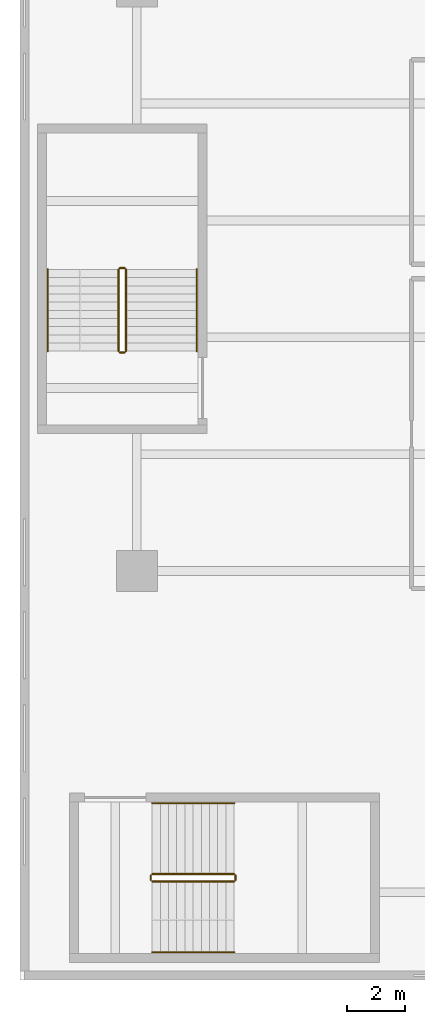
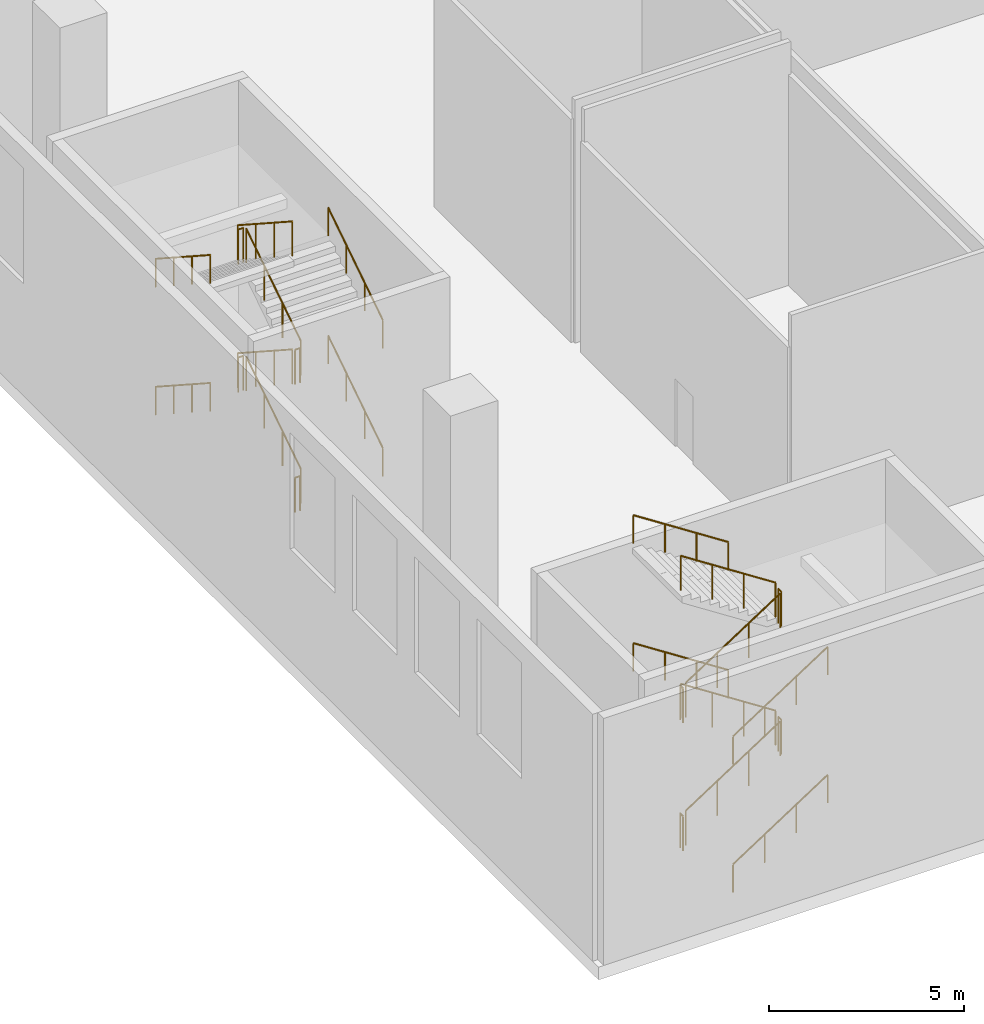
# One storey, part 19 of 27: 24 railings.
"""IFC4 building model written with IfcOpenShell, lengths in metres."""

from ifc_helpers import new_model, si_unit, direction, frame, origin, origin_2d, place, context, subcontext, project, spatial, circle, extrude, material, type_object, element, save


model = new_model("IFC4")

# Units and contexts
model_context = context("Model", 3, precision=1e-05, world=origin(), true_north=direction((0.0, 1.0)))
body_context = subcontext(model_context, "Body", "Model", "MODEL_VIEW")
ifc_project = project(units=[si_unit("LENGTHUNIT", "METRE"), si_unit("AREAUNIT", "SQUARE_METRE"), si_unit("VOLUMEUNIT", "CUBIC_METRE"), si_unit("PLANEANGLEUNIT", "RADIAN"), si_unit("MASSUNIT", "GRAM", prefix="KILO")], contexts=[model_context])

# Site, building, storey
site_placement = place(None, origin())
site = spatial("IfcSite", under=ifc_project, at=site_placement, CompositionType="ELEMENT")
building_placement = place(site_placement, origin())
building = spatial("IfcBuilding", under=site, at=building_placement, Name="Tel Ilan Convention Tower", CompositionType="ELEMENT")
storey_placement = place(building_placement, frame((0.0, 0.0, 18.0)))
storey = spatial("IfcBuildingStorey", under=building, at=storey_placement, Name="L02", CompositionType="ELEMENT", Elevation=18.0)

# Railings
ifc_material_1 = material(Name="Stainless Steel Grade 316", Category="steel")
railing_type_1 = type_object("IfcRailingType", Name="Stainless Steel Stair Guard 1100 mm", PredefinedType="GUARDRAIL", material=ifc_material_1)
railing_1_placement = place(storey_placement, frame((-45.47509765625, -78.625, 0.181884765625)))
element("IfcRailing", 1, at=railing_1_placement, inside=storey, type_object=railing_type_1, Name="L02 P1 stair guard 1", PredefinedType="GUARDRAIL", context=body_context, shape_type="SweptSolid", body=[
    extrude(circle(Radius=0.02392578125, at=origin_2d()), frame((0.0, 0.0, 1.076171875), z_axis=(0.838705829183, 0.0, 0.544584733623), x_axis=(0.0, 1.0, 0.0)), (0.0, 0.0, 1.0), 3.338623046875),
    extrude(circle(Radius=0.02099609375, at=origin_2d()), origin(), (0.0, 0.0, 1.0), 1.052001953125),
    extrude(circle(Radius=0.02099609375, at=origin_2d()), frame((0.933349609375, 0.0, 0.60595703125)), (0.0, 0.0, 1.0), 1.052001953125),
    extrude(circle(Radius=0.02099609375, at=origin_2d()), frame((1.86669921875, 0.0, 1.212158203125)), (0.0, 0.0, 1.0), 1.052001953125),
    extrude(circle(Radius=0.02099609375, at=origin_2d()), frame((2.800048828125, 0.0, 1.818115234375)), (0.0, 0.0, 1.0), 1.052001953125),
])
railing_2_placement = place(storey_placement, frame((-42.625, -78.574951171875, 2.0)))
element("IfcRailing", 2, at=railing_2_placement, inside=storey, type_object=railing_type_1, Name="L02 P1 stair guard 2", PredefinedType="GUARDRAIL", context=body_context, shape_type="SweptSolid", body=[
    extrude(circle(Radius=0.02392578125, at=origin_2d()), frame((0.0, 0.0, 1.076171875), z_axis=(0.0, 1.0, 0.0), x_axis=(-1.0, 0.0, 0.0)), (0.0, 0.0, 1.0), 0.14990234375),
    extrude(circle(Radius=0.02099609375, at=origin_2d()), origin(), (0.0, 0.0, 1.0), 1.052001953125),
    extrude(circle(Radius=0.02099609375, at=origin_2d()), frame((0.0, 0.14990234375, 0.0)), (0.0, 0.0, 1.0), 1.052001953125),
])
railing_3_placement = place(storey_placement, frame((-42.675048828125, -78.375, 2.181884765625)))
element("IfcRailing", 3, at=railing_3_placement, inside=storey, type_object=railing_type_1, Name="L02 P1 stair guard 3", PredefinedType="GUARDRAIL", context=body_context, shape_type="SweptSolid", body=[
    extrude(circle(Radius=0.02392578125, at=origin_2d()), frame((0.0, 0.0, 1.076171875), z_axis=(-0.838705829183, 0.0, 0.544584733623), x_axis=(0.0, -1.0, 0.0)), (0.0, 0.0, 1.0), 3.338623046875),
    extrude(circle(Radius=0.02099609375, at=origin_2d()), origin(), (0.0, 0.0, 1.0), 1.052001953125),
    extrude(circle(Radius=0.02099609375, at=origin_2d()), frame((-0.933349609375, 0.0, 0.60595703125)), (0.0, 0.0, 1.0), 1.052001953125),
    extrude(circle(Radius=0.02099609375, at=origin_2d()), frame((-1.86669921875, 0.0, 1.212158203125)), (0.0, 0.0, 1.0), 1.052001953125),
    extrude(circle(Radius=0.02099609375, at=origin_2d()), frame((-2.800048828125, 0.0, 1.818115234375)), (0.0, 0.0, 1.0), 1.052001953125),
])
railing_4_placement = place(storey_placement, frame((-45.52490234375, -78.574951171875, 4.0)))
element("IfcRailing", 4, at=railing_4_placement, inside=storey, type_object=railing_type_1, Name="L02 P1 stair guard 4", PredefinedType="GUARDRAIL", context=body_context, shape_type="SweptSolid", body=[
    extrude(circle(Radius=0.02392578125, at=origin_2d()), frame((0.0, 0.0, 1.076171875), z_axis=(0.0, 1.0, 0.0), x_axis=(-1.0, 0.0, 0.0)), (0.0, 0.0, 1.0), 0.14990234375),
    extrude(circle(Radius=0.02099609375, at=origin_2d()), origin(), (0.0, 0.0, 1.0), 1.052001953125),
    extrude(circle(Radius=0.02099609375, at=origin_2d()), frame((0.0, 0.14990234375, 0.0)), (0.0, 0.0, 1.0), 1.052001953125),
])
railing_5_placement = place(storey_placement, frame((-45.47509765625, -78.625, 4.181884765625)))
element("IfcRailing", 5, at=railing_5_placement, inside=storey, type_object=railing_type_1, Name="L02 P1 stair guard 5", PredefinedType="GUARDRAIL", context=body_context, shape_type="SweptSolid", body=[
    extrude(circle(Radius=0.02392578125, at=origin_2d()), frame((0.0, 0.0, 1.076171875), z_axis=(0.838705829183, 0.0, 0.544584733623), x_axis=(0.0, 1.0, 0.0)), (0.0, 0.0, 1.0), 3.338623046875),
    extrude(circle(Radius=0.02099609375, at=origin_2d()), origin(), (0.0, 0.0, 1.0), 1.052001953125),
    extrude(circle(Radius=0.02099609375, at=origin_2d()), frame((0.933349609375, 0.0, 0.60595703125)), (0.0, 0.0, 1.0), 1.052001953125),
    extrude(circle(Radius=0.02099609375, at=origin_2d()), frame((1.86669921875, 0.0, 1.212158203125)), (0.0, 0.0, 1.0), 1.052001953125),
    extrude(circle(Radius=0.02099609375, at=origin_2d()), frame((2.800048828125, 0.0, 1.818115234375)), (0.0, 0.0, 1.0), 1.052001953125),
])
railing_6_placement = place(storey_placement, frame((-42.625, -78.574951171875, 6.0)))
element("IfcRailing", 6, at=railing_6_placement, inside=storey, type_object=railing_type_1, Name="L02 P1 stair guard 6", PredefinedType="GUARDRAIL", context=body_context, shape_type="SweptSolid", body=[
    extrude(circle(Radius=0.02392578125, at=origin_2d()), frame((0.0, 0.0, 1.076171875), z_axis=(0.0, 1.0, 0.0), x_axis=(-1.0, 0.0, 0.0)), (0.0, 0.0, 1.0), 0.14990234375),
    extrude(circle(Radius=0.02099609375, at=origin_2d()), origin(), (0.0, 0.0, 1.0), 1.052001953125),
    extrude(circle(Radius=0.02099609375, at=origin_2d()), frame((0.0, 0.14990234375, 0.0)), (0.0, 0.0, 1.0), 1.052001953125),
])
railing_7_placement = place(storey_placement, frame((-42.675048828125, -78.375, 6.181884765625)))
element("IfcRailing", 7, at=railing_7_placement, inside=storey, type_object=railing_type_1, Name="L02 P1 stair guard 7", PredefinedType="GUARDRAIL", context=body_context, shape_type="SweptSolid", body=[
    extrude(circle(Radius=0.02392578125, at=origin_2d()), frame((0.0, 0.0, 1.076171875), z_axis=(-0.838705829183, 0.0, 0.544584733623), x_axis=(0.0, -1.0, 0.0)), (0.0, 0.0, 1.0), 3.338623046875),
    extrude(circle(Radius=0.02099609375, at=origin_2d()), origin(), (0.0, 0.0, 1.0), 1.052001953125),
    extrude(circle(Radius=0.02099609375, at=origin_2d()), frame((-0.933349609375, 0.0, 0.60595703125)), (0.0, 0.0, 1.0), 1.052001953125),
    extrude(circle(Radius=0.02099609375, at=origin_2d()), frame((-1.86669921875, 0.0, 1.212158203125)), (0.0, 0.0, 1.0), 1.052001953125),
    extrude(circle(Radius=0.02099609375, at=origin_2d()), frame((-2.800048828125, 0.0, 1.818115234375)), (0.0, 0.0, 1.0), 1.052001953125),
])
railing_8_placement = place(storey_placement, frame((-45.52490234375, -78.574951171875, 0.0)))
element("IfcRailing", 8, at=railing_8_placement, inside=storey, type_object=railing_type_1, Name="L02 P1 stair guard 8", PredefinedType="GUARDRAIL", context=body_context, shape_type="SweptSolid", body=[
    extrude(circle(Radius=0.02392578125, at=origin_2d()), frame((0.0, 0.0, 1.076171875), z_axis=(0.0, 1.0, 0.0), x_axis=(-1.0, 0.0, 0.0)), (0.0, 0.0, 1.0), 0.14990234375),
    extrude(circle(Radius=0.02099609375, at=origin_2d()), origin(), (0.0, 0.0, 1.0), 1.052001953125),
    extrude(circle(Radius=0.02099609375, at=origin_2d()), frame((0.0, 0.14990234375, 0.0)), (0.0, 0.0, 1.0), 1.052001953125),
])
railing_9_placement = place(storey_placement, frame((-46.375, -60.47509765625, 0.181884765625)))
element("IfcRailing", 9, at=railing_9_placement, inside=storey, type_object=railing_type_1, Name="L02 P5 stair guard 1", PredefinedType="GUARDRAIL", context=body_context, shape_type="SweptSolid", body=[
    extrude(circle(Radius=0.02392578125, at=origin_2d()), frame((0.0, 0.0, 1.076171875), z_axis=(0.0, 0.838705829183, 0.544584733623), x_axis=(-1.0, 0.0, 0.0)), (0.0, 0.0, 1.0), 3.338623046875),
    extrude(circle(Radius=0.02099609375, at=origin_2d()), origin(), (0.0, 0.0, 1.0), 1.052001953125),
    extrude(circle(Radius=0.02099609375, at=origin_2d()), frame((0.0, 0.933349609375, 0.60595703125)), (0.0, 0.0, 1.0), 1.052001953125),
    extrude(circle(Radius=0.02099609375, at=origin_2d()), frame((0.0, 1.86669921875, 1.212158203125)), (0.0, 0.0, 1.0), 1.052001953125),
    extrude(circle(Radius=0.02099609375, at=origin_2d()), frame((0.0, 2.800048828125, 1.818115234375)), (0.0, 0.0, 1.0), 1.052001953125),
])
railing_10_placement = place(storey_placement, frame((-46.425048828125, -57.625, 2.0)))
element("IfcRailing", 10, at=railing_10_placement, inside=storey, type_object=railing_type_1, Name="L02 P5 stair guard 2", PredefinedType="GUARDRAIL", context=body_context, shape_type="SweptSolid", body=[
    extrude(circle(Radius=0.02392578125, at=origin_2d()), frame((0.0, 0.0, 1.076171875), z_axis=(-1.0, 0.0, 0.0), x_axis=(0.0, -1.0, 0.0)), (0.0, 0.0, 1.0), 0.14990234375),
    extrude(circle(Radius=0.02099609375, at=origin_2d()), origin(), (0.0, 0.0, 1.0), 1.052001953125),
    extrude(circle(Radius=0.02099609375, at=origin_2d()), frame((-0.14990234375, 0.0, 0.0)), (0.0, 0.0, 1.0), 1.052001953125),
])
railing_11_placement = place(storey_placement, frame((-46.625, -57.675048828125, 2.181884765625)))
element("IfcRailing", 11, at=railing_11_placement, inside=storey, type_object=railing_type_1, Name="L02 P5 stair guard 3", PredefinedType="GUARDRAIL", context=body_context, shape_type="SweptSolid", body=[
    extrude(circle(Radius=0.02392578125, at=origin_2d()), frame((0.0, 0.0, 1.076171875), z_axis=(0.0, -0.838705829183, 0.544584733623), x_axis=(1.0, 0.0, 0.0)), (0.0, 0.0, 1.0), 3.338623046875),
    extrude(circle(Radius=0.02099609375, at=origin_2d()), origin(), (0.0, 0.0, 1.0), 1.052001953125),
    extrude(circle(Radius=0.02099609375, at=origin_2d()), frame((0.0, -0.933349609375, 0.60595703125)), (0.0, 0.0, 1.0), 1.052001953125),
    extrude(circle(Radius=0.02099609375, at=origin_2d()), frame((0.0, -1.86669921875, 1.212158203125)), (0.0, 0.0, 1.0), 1.052001953125),
    extrude(circle(Radius=0.02099609375, at=origin_2d()), frame((0.0, -2.800048828125, 1.818115234375)), (0.0, 0.0, 1.0), 1.052001953125),
])
railing_12_placement = place(storey_placement, frame((-46.425048828125, -60.52490234375, 4.0)))
element("IfcRailing", 12, at=railing_12_placement, inside=storey, type_object=railing_type_1, Name="L02 P5 stair guard 4", PredefinedType="GUARDRAIL", context=body_context, shape_type="SweptSolid", body=[
    extrude(circle(Radius=0.02392578125, at=origin_2d()), frame((0.0, 0.0, 1.076171875), z_axis=(-1.0, 0.0, 0.0), x_axis=(0.0, -1.0, 0.0)), (0.0, 0.0, 1.0), 0.14990234375),
    extrude(circle(Radius=0.02099609375, at=origin_2d()), origin(), (0.0, 0.0, 1.0), 1.052001953125),
    extrude(circle(Radius=0.02099609375, at=origin_2d()), frame((-0.14990234375, 0.0, 0.0)), (0.0, 0.0, 1.0), 1.052001953125),
])
railing_13_placement = place(storey_placement, frame((-46.375, -60.47509765625, 4.181884765625)))
element("IfcRailing", 13, at=railing_13_placement, inside=storey, type_object=railing_type_1, Name="L02 P5 stair guard 5", PredefinedType="GUARDRAIL", context=body_context, shape_type="SweptSolid", body=[
    extrude(circle(Radius=0.02392578125, at=origin_2d()), frame((0.0, 0.0, 1.076171875), z_axis=(0.0, 0.838705829183, 0.544584733623), x_axis=(-1.0, 0.0, 0.0)), (0.0, 0.0, 1.0), 3.338623046875),
    extrude(circle(Radius=0.02099609375, at=origin_2d()), origin(), (0.0, 0.0, 1.0), 1.052001953125),
    extrude(circle(Radius=0.02099609375, at=origin_2d()), frame((0.0, 0.933349609375, 0.60595703125)), (0.0, 0.0, 1.0), 1.052001953125),
    extrude(circle(Radius=0.02099609375, at=origin_2d()), frame((0.0, 1.86669921875, 1.212158203125)), (0.0, 0.0, 1.0), 1.052001953125),
    extrude(circle(Radius=0.02099609375, at=origin_2d()), frame((0.0, 2.800048828125, 1.818115234375)), (0.0, 0.0, 1.0), 1.052001953125),
])
railing_14_placement = place(storey_placement, frame((-46.425048828125, -57.625, 6.0)))
element("IfcRailing", 14, at=railing_14_placement, inside=storey, type_object=railing_type_1, Name="L02 P5 stair guard 6", PredefinedType="GUARDRAIL", context=body_context, shape_type="SweptSolid", body=[
    extrude(circle(Radius=0.02392578125, at=origin_2d()), frame((0.0, 0.0, 1.076171875), z_axis=(-1.0, 0.0, 0.0), x_axis=(0.0, -1.0, 0.0)), (0.0, 0.0, 1.0), 0.14990234375),
    extrude(circle(Radius=0.02099609375, at=origin_2d()), origin(), (0.0, 0.0, 1.0), 1.052001953125),
    extrude(circle(Radius=0.02099609375, at=origin_2d()), frame((-0.14990234375, 0.0, 0.0)), (0.0, 0.0, 1.0), 1.052001953125),
])
railing_15_placement = place(storey_placement, frame((-46.625, -57.675048828125, 6.181884765625)))
element("IfcRailing", 15, at=railing_15_placement, inside=storey, type_object=railing_type_1, Name="L02 P5 stair guard 7", PredefinedType="GUARDRAIL", context=body_context, shape_type="SweptSolid", body=[
    extrude(circle(Radius=0.02392578125, at=origin_2d()), frame((0.0, 0.0, 1.076171875), z_axis=(0.0, -0.838705829183, 0.544584733623), x_axis=(1.0, 0.0, 0.0)), (0.0, 0.0, 1.0), 3.338623046875),
    extrude(circle(Radius=0.02099609375, at=origin_2d()), origin(), (0.0, 0.0, 1.0), 1.052001953125),
    extrude(circle(Radius=0.02099609375, at=origin_2d()), frame((0.0, -0.933349609375, 0.60595703125)), (0.0, 0.0, 1.0), 1.052001953125),
    extrude(circle(Radius=0.02099609375, at=origin_2d()), frame((0.0, -1.86669921875, 1.212158203125)), (0.0, 0.0, 1.0), 1.052001953125),
    extrude(circle(Radius=0.02099609375, at=origin_2d()), frame((0.0, -2.800048828125, 1.818115234375)), (0.0, 0.0, 1.0), 1.052001953125),
])
railing_16_placement = place(storey_placement, frame((-46.425048828125, -60.52490234375, 0.0)))
element("IfcRailing", 16, at=railing_16_placement, inside=storey, type_object=railing_type_1, Name="L02 P5 stair guard 8", PredefinedType="GUARDRAIL", context=body_context, shape_type="SweptSolid", body=[
    extrude(circle(Radius=0.02392578125, at=origin_2d()), frame((0.0, 0.0, 1.076171875), z_axis=(-1.0, 0.0, 0.0), x_axis=(0.0, -1.0, 0.0)), (0.0, 0.0, 1.0), 0.14990234375),
    extrude(circle(Radius=0.02099609375, at=origin_2d()), origin(), (0.0, 0.0, 1.0), 1.052001953125),
    extrude(circle(Radius=0.02099609375, at=origin_2d()), frame((-0.14990234375, 0.0, 0.0)), (0.0, 0.0, 1.0), 1.052001953125),
])
ifc_material_2 = material(Name="Stainless Steel Grade 316", Category="steel")
railing_type_2 = type_object("IfcRailingType", Name="Stainless Steel Stair Handrail 900 mm", PredefinedType="HANDRAIL", material=ifc_material_2)
railing_17_placement = place(storey_placement, frame((-45.47509765625, -81.050048828125, 0.181884765625)))
element("IfcRailing", 17, at=railing_17_placement, inside=storey, type_object=railing_type_2, Name="L02 P1 stair handrail 1", PredefinedType="HANDRAIL", context=body_context, shape_type="SweptSolid", body=[
    extrude(circle(Radius=0.02392578125, at=origin_2d()), frame((0.0, 0.0, 0.8759765625), z_axis=(0.838705829183, 0.0, 0.544584733623), x_axis=(0.0, 1.0, 0.0)), (0.0, 0.0, 1.0), 3.338623046875),
    extrude(circle(Radius=0.02099609375, at=origin_2d()), origin(), (0.0, 0.0, 1.0), 0.851806640625),
    extrude(circle(Radius=0.02099609375, at=origin_2d()), frame((0.933349609375, 0.0, 0.60595703125)), (0.0, 0.0, 1.0), 0.851806640625),
    extrude(circle(Radius=0.02099609375, at=origin_2d()), frame((1.86669921875, 0.0, 1.212158203125)), (0.0, 0.0, 1.0), 0.851806640625),
    extrude(circle(Radius=0.02099609375, at=origin_2d()), frame((2.800048828125, 0.0, 1.818115234375)), (0.0, 0.0, 1.0), 0.851806640625),
])
railing_18_placement = place(storey_placement, frame((-42.675048828125, -75.949951171875, 2.181884765625)))
element("IfcRailing", 18, at=railing_18_placement, inside=storey, type_object=railing_type_2, Name="L02 P1 stair handrail 2", PredefinedType="HANDRAIL", context=body_context, shape_type="SweptSolid", body=[
    extrude(circle(Radius=0.02392578125, at=origin_2d()), frame((0.0, 0.0, 0.8759765625), z_axis=(-0.838705829183, 0.0, 0.544584733623), x_axis=(0.0, -1.0, 0.0)), (0.0, 0.0, 1.0), 3.338623046875),
    extrude(circle(Radius=0.02099609375, at=origin_2d()), origin(), (0.0, 0.0, 1.0), 0.851806640625),
    extrude(circle(Radius=0.02099609375, at=origin_2d()), frame((-0.933349609375, 0.0, 0.60595703125)), (0.0, 0.0, 1.0), 0.851806640625),
    extrude(circle(Radius=0.02099609375, at=origin_2d()), frame((-1.86669921875, 0.0, 1.212158203125)), (0.0, 0.0, 1.0), 0.851806640625),
    extrude(circle(Radius=0.02099609375, at=origin_2d()), frame((-2.800048828125, 0.0, 1.818115234375)), (0.0, 0.0, 1.0), 0.851806640625),
])
railing_19_placement = place(storey_placement, frame((-45.47509765625, -81.050048828125, 4.181884765625)))
element("IfcRailing", 19, at=railing_19_placement, inside=storey, type_object=railing_type_2, Name="L02 P1 stair handrail 3", PredefinedType="HANDRAIL", context=body_context, shape_type="SweptSolid", body=[
    extrude(circle(Radius=0.02392578125, at=origin_2d()), frame((0.0, 0.0, 0.8759765625), z_axis=(0.838705829183, 0.0, 0.544584733623), x_axis=(0.0, 1.0, 0.0)), (0.0, 0.0, 1.0), 3.338623046875),
    extrude(circle(Radius=0.02099609375, at=origin_2d()), origin(), (0.0, 0.0, 1.0), 0.851806640625),
    extrude(circle(Radius=0.02099609375, at=origin_2d()), frame((0.933349609375, 0.0, 0.60595703125)), (0.0, 0.0, 1.0), 0.851806640625),
    extrude(circle(Radius=0.02099609375, at=origin_2d()), frame((1.86669921875, 0.0, 1.212158203125)), (0.0, 0.0, 1.0), 0.851806640625),
    extrude(circle(Radius=0.02099609375, at=origin_2d()), frame((2.800048828125, 0.0, 1.818115234375)), (0.0, 0.0, 1.0), 0.851806640625),
])
railing_20_placement = place(storey_placement, frame((-42.675048828125, -75.949951171875, 6.181884765625)))
element("IfcRailing", 20, at=railing_20_placement, inside=storey, type_object=railing_type_2, Name="L02 P1 stair handrail 4", PredefinedType="HANDRAIL", context=body_context, shape_type="SweptSolid", body=[
    extrude(circle(Radius=0.02392578125, at=origin_2d()), frame((0.0, 0.0, 0.8759765625), z_axis=(-0.838705829183, 0.0, 0.544584733623), x_axis=(0.0, -1.0, 0.0)), (0.0, 0.0, 1.0), 3.338623046875),
    extrude(circle(Radius=0.02099609375, at=origin_2d()), origin(), (0.0, 0.0, 1.0), 0.851806640625),
    extrude(circle(Radius=0.02099609375, at=origin_2d()), frame((-0.933349609375, 0.0, 0.60595703125)), (0.0, 0.0, 1.0), 0.851806640625),
    extrude(circle(Radius=0.02099609375, at=origin_2d()), frame((-1.86669921875, 0.0, 1.212158203125)), (0.0, 0.0, 1.0), 0.851806640625),
    extrude(circle(Radius=0.02099609375, at=origin_2d()), frame((-2.800048828125, 0.0, 1.818115234375)), (0.0, 0.0, 1.0), 0.851806640625),
])
railing_21_placement = place(storey_placement, frame((-43.949951171875, -60.47509765625, 0.181884765625)))
element("IfcRailing", 21, at=railing_21_placement, inside=storey, type_object=railing_type_2, Name="L02 P5 stair handrail 1", PredefinedType="HANDRAIL", context=body_context, shape_type="SweptSolid", body=[
    extrude(circle(Radius=0.02392578125, at=origin_2d()), frame((0.0, 0.0, 0.8759765625), z_axis=(0.0, 0.838705829183, 0.544584733623), x_axis=(-1.0, 0.0, 0.0)), (0.0, 0.0, 1.0), 3.338623046875),
    extrude(circle(Radius=0.02099609375, at=origin_2d()), origin(), (0.0, 0.0, 1.0), 0.851806640625),
    extrude(circle(Radius=0.02099609375, at=origin_2d()), frame((0.0, 0.933349609375, 0.60595703125)), (0.0, 0.0, 1.0), 0.851806640625),
    extrude(circle(Radius=0.02099609375, at=origin_2d()), frame((0.0, 1.86669921875, 1.212158203125)), (0.0, 0.0, 1.0), 0.851806640625),
    extrude(circle(Radius=0.02099609375, at=origin_2d()), frame((0.0, 2.800048828125, 1.818115234375)), (0.0, 0.0, 1.0), 0.851806640625),
])
railing_22_placement = place(storey_placement, frame((-49.050048828125, -57.675048828125, 2.181884765625)))
element("IfcRailing", 22, at=railing_22_placement, inside=storey, type_object=railing_type_2, Name="L02 P5 stair handrail 2", PredefinedType="HANDRAIL", context=body_context, shape_type="SweptSolid", body=[
    extrude(circle(Radius=0.02392578125, at=origin_2d()), frame((0.0, 0.0, 0.8759765625), z_axis=(0.0, -0.838705829183, 0.544584733623), x_axis=(1.0, 0.0, 0.0)), (0.0, 0.0, 1.0), 3.338623046875),
    extrude(circle(Radius=0.02099609375, at=origin_2d()), origin(), (0.0, 0.0, 1.0), 0.851806640625),
    extrude(circle(Radius=0.02099609375, at=origin_2d()), frame((0.0, -0.933349609375, 0.60595703125)), (0.0, 0.0, 1.0), 0.851806640625),
    extrude(circle(Radius=0.02099609375, at=origin_2d()), frame((0.0, -1.86669921875, 1.212158203125)), (0.0, 0.0, 1.0), 0.851806640625),
    extrude(circle(Radius=0.02099609375, at=origin_2d()), frame((0.0, -2.800048828125, 1.818115234375)), (0.0, 0.0, 1.0), 0.851806640625),
])
railing_23_placement = place(storey_placement, frame((-43.949951171875, -60.47509765625, 4.181884765625)))
element("IfcRailing", 23, at=railing_23_placement, inside=storey, type_object=railing_type_2, Name="L02 P5 stair handrail 3", PredefinedType="HANDRAIL", context=body_context, shape_type="SweptSolid", body=[
    extrude(circle(Radius=0.02392578125, at=origin_2d()), frame((0.0, 0.0, 0.8759765625), z_axis=(0.0, 0.838705829183, 0.544584733623), x_axis=(-1.0, 0.0, 0.0)), (0.0, 0.0, 1.0), 3.338623046875),
    extrude(circle(Radius=0.02099609375, at=origin_2d()), origin(), (0.0, 0.0, 1.0), 0.851806640625),
    extrude(circle(Radius=0.02099609375, at=origin_2d()), frame((0.0, 0.933349609375, 0.60595703125)), (0.0, 0.0, 1.0), 0.851806640625),
    extrude(circle(Radius=0.02099609375, at=origin_2d()), frame((0.0, 1.86669921875, 1.212158203125)), (0.0, 0.0, 1.0), 0.851806640625),
    extrude(circle(Radius=0.02099609375, at=origin_2d()), frame((0.0, 2.800048828125, 1.818115234375)), (0.0, 0.0, 1.0), 0.851806640625),
])
railing_24_placement = place(storey_placement, frame((-49.050048828125, -57.675048828125, 6.181884765625)))
element("IfcRailing", 24, at=railing_24_placement, inside=storey, type_object=railing_type_2, Name="L02 P5 stair handrail 4", PredefinedType="HANDRAIL", context=body_context, shape_type="SweptSolid", body=[
    extrude(circle(Radius=0.02392578125, at=origin_2d()), frame((0.0, 0.0, 0.8759765625), z_axis=(0.0, -0.838705829183, 0.544584733623), x_axis=(1.0, 0.0, 0.0)), (0.0, 0.0, 1.0), 3.338623046875),
    extrude(circle(Radius=0.02099609375, at=origin_2d()), origin(), (0.0, 0.0, 1.0), 0.851806640625),
    extrude(circle(Radius=0.02099609375, at=origin_2d()), frame((0.0, -0.933349609375, 0.60595703125)), (0.0, 0.0, 1.0), 0.851806640625),
    extrude(circle(Radius=0.02099609375, at=origin_2d()), frame((0.0, -1.86669921875, 1.212158203125)), (0.0, 0.0, 1.0), 0.851806640625),
    extrude(circle(Radius=0.02099609375, at=origin_2d()), frame((0.0, -2.800048828125, 1.818115234375)), (0.0, 0.0, 1.0), 0.851806640625),
])

save(model, "model.ifc")
